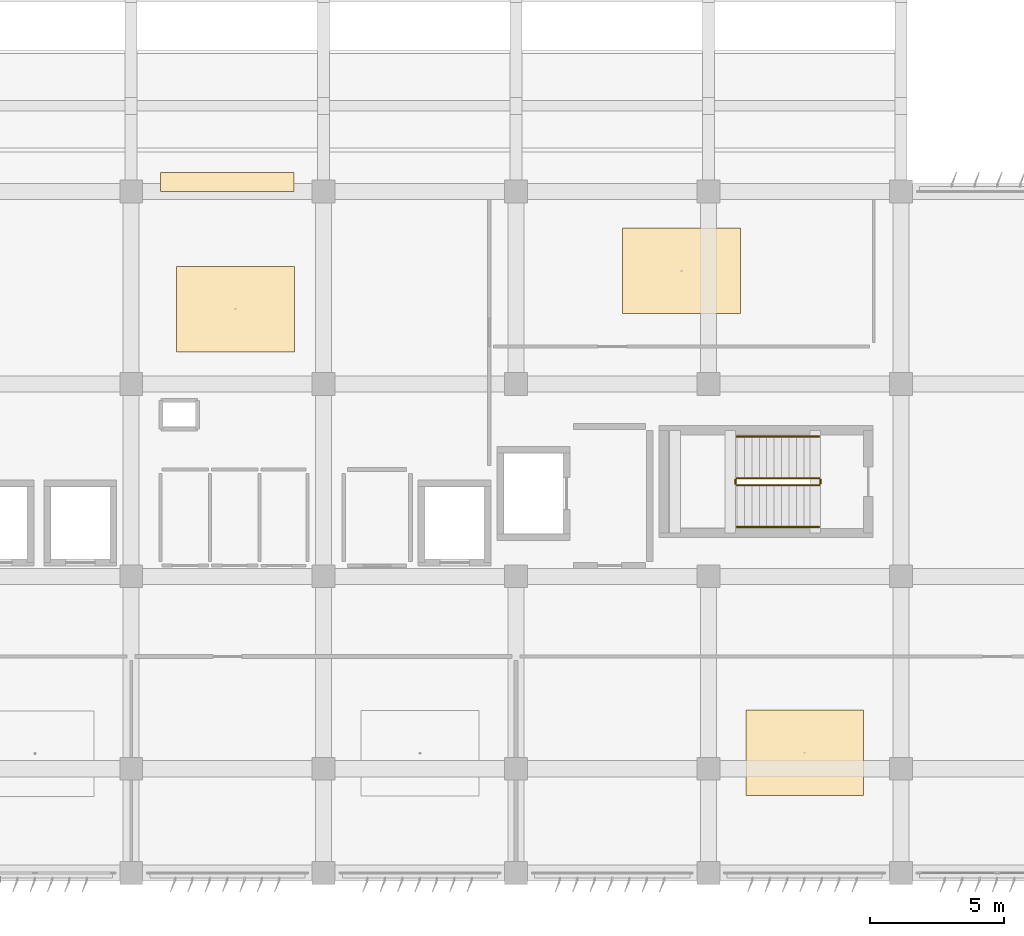
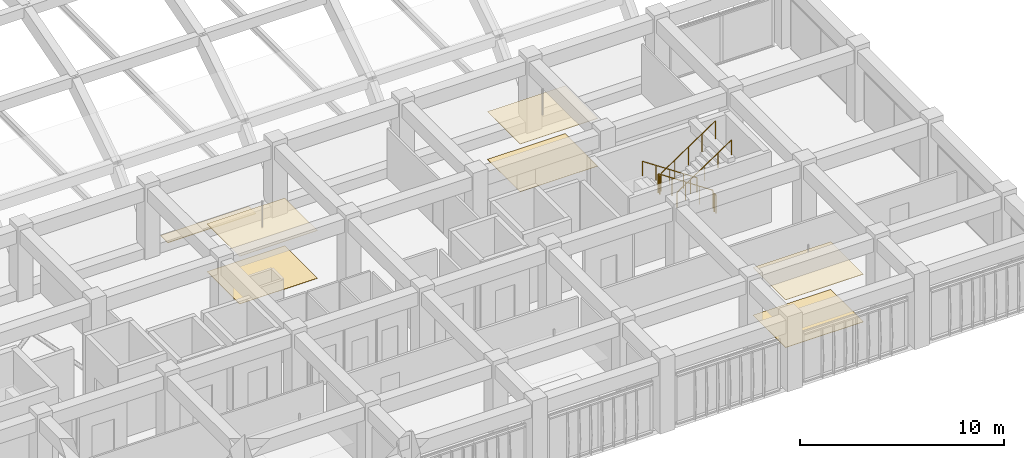
# One storey, part 46 of 48: 7 coverings, 6 railings, 1 element without a shape of its own.
"""IFC4 building model written with IfcOpenShell, lengths in metres."""

from ifc_helpers import new_model, si_unit, direction, frame, origin, origin_2d, place, context, subcontext, project, spatial, rectangle, circle, extrude, material, layer, layer_set, type_object, element, aggregate, save


model = new_model("IFC4")

# Units and contexts
model_context = context("Model", 3, precision=1e-05, world=origin(), true_north=direction((0.0, 1.0)))
body_context = subcontext(model_context, "Body", "Model", "MODEL_VIEW")
ifc_project = project(units=[si_unit("LENGTHUNIT", "METRE"), si_unit("AREAUNIT", "SQUARE_METRE"), si_unit("VOLUMEUNIT", "CUBIC_METRE"), si_unit("PLANEANGLEUNIT", "RADIAN"), si_unit("MASSUNIT", "GRAM", prefix="KILO")], contexts=[model_context])

# Site, building, storey
site_placement = place(None, origin())
site = spatial("IfcSite", under=ifc_project, at=site_placement, CompositionType="ELEMENT")
building_placement = place(site_placement, origin())
building = spatial("IfcBuilding", under=site, at=building_placement, Name="Kazehaya Institute of Natural Sciences", CompositionType="ELEMENT")
storey_placement = place(building_placement, frame((0.0, 0.0, 19.800048828125)))
storey = spatial("IfcBuildingStorey", under=building, at=storey_placement, Name="L04", CompositionType="ELEMENT", Elevation=19.800048828125)

# Coverings
ifc_material_1 = material(Name="Mineral-fibre acoustic ceiling tile")
ifc_layer_1 = layer(ifc_material_1, 0.02490234375, Name="Mineral-fibre acoustic ceiling tile")
ifc_layer_set_1 = layer_set([ifc_layer_1], Name="Mineral-fibre acoustic ceiling tile")
covering_type_1 = type_object("IfcCoveringType", Name="COV-CEIL-AC", PredefinedType="CEILING", material=ifc_layer_set_1)
for number, where, z_axis, x_axis, name in (
    (1, (108.59765625, 14.59619140625, 2.847412109375), (0.0, 0.0, 1.0), (1.0, 0.0, 0.0), "L04 Researcher Write-up Office ceiling 42"),
    (2, (87.302001953125, 31.19580078125, 2.847412109375), (0.0, 0.0, 1.0), (1.0, 0.0, 0.0), "L04 Proteomics Research Laboratory ceiling 43"),
    (3, (103.989990234375, 32.625, 2.847412109375), (0.0, 0.0, 1.0), (1.0, 0.0, 0.0), "L04 Cold Room and Autoclave Alcove ceiling 44"),
):
    element("IfcCovering", number, at=place(storey_placement, frame(where, z_axis=z_axis, x_axis=x_axis)), inside=storey, type_object=covering_type_1, Name=name, PredefinedType="CEILING", context=body_context, shape_type="SweptSolid", body=[
        extrude(rectangle(XDim=4.39990234375, YDim=3.199951171875, at=origin_2d()), origin(), (0.0, 0.0, 1.0), 0.02490234375),
    ])
ifc_material_2 = material(Name="Seamless chemical-resistant epoxy flooring")
ifc_layer_2 = layer(ifc_material_2, 0.014892578125, Name="Seamless chemical-resistant epoxy flooring")
ifc_layer_set_2 = layer_set([ifc_layer_2], Name="Seamless chemical-resistant epoxy flooring")
covering_type_2 = type_object("IfcCoveringType", Name="COV-FLR-EPX", PredefinedType="FLOORING", material=ifc_layer_set_2)
for number, where, z_axis, x_axis, name in (
    (4, (87.302001953125, 31.19580078125, 0.0), (0.0, 0.0, 1.0), (1.0, 0.0, 0.0), "L04 Proteomics Research Laboratory finish flooring 43"),
    (5, (103.989990234375, 32.625, 0.0), (0.0, 0.0, 1.0), (1.0, 0.0, 0.0), "L04 Cold Room and Autoclave Alcove finish flooring 44"),
):
    element("IfcCovering", number, at=place(storey_placement, frame(where, z_axis=z_axis, x_axis=x_axis)), inside=storey, type_object=covering_type_2, Name=name, PredefinedType="FLOORING", context=body_context, shape_type="SweptSolid", body=[
        extrude(rectangle(XDim=4.39990234375, YDim=3.199951171875, at=origin_2d()), origin(), (0.0, 0.0, 1.0), 0.014892578125),
    ])
ifc_material_3 = material(Name="Polished Sawara stone terrazzo flooring", Category="masonry")
ifc_layer_3 = layer(ifc_material_3, 0.02001953125, Name="Polished Sawara stone terrazzo flooring", Category="masonry")
ifc_layer_set_3 = layer_set([ifc_layer_3], Name="Polished Sawara stone terrazzo flooring")
covering_type_3 = type_object("IfcCoveringType", Name="COV-FLR-TRZ", PredefinedType="FLOORING", material=ifc_layer_set_3)
covering_1_placement = place(storey_placement, frame((108.59765625, 14.59619140625, 0.0), z_axis=(0.0, 0.0, 1.0), x_axis=(1.0, 0.0, 0.0)))
element("IfcCovering", 6, at=covering_1_placement, inside=storey, type_object=covering_type_3, Name="L04 Researcher Write-up Office finish flooring 42", PredefinedType="FLOORING", context=body_context, shape_type="SweptSolid", body=[
    extrude(rectangle(XDim=4.39990234375, YDim=3.199951171875, at=origin_2d()), origin(), (0.0, 0.0, 1.0), 0.02001953125),
])

# Roof, covering
ifc_material_4 = material(Name="Concrete Fc36", Category="concrete")
roof_type = type_object("IfcRoofType", Name="RF-BARREL", PredefinedType="BARREL_ROOF", material=ifc_material_4)
roof_placement = place(storey_placement, origin())
roof = element("IfcRoof", 7, at=roof_placement, inside=storey, type_object=roof_type, Name="Cylindrical barrel-vault shell roof SH-VOL2", PredefinedType="BARREL_ROOF")
ifc_material_5 = material(Name="Copper standing-seam roofing", Category="copper")
ifc_layer_4 = layer(ifc_material_5, 0.0400390625, Name="Copper standing-seam roofing", Category="copper")
ifc_layer_set_4 = layer_set([ifc_layer_4], Name="Copper standing-seam roofing")
covering_type_4 = type_object("IfcCoveringType", Name="COV-ROOF-CU", PredefinedType="ROOFING", material=ifc_layer_set_4)
covering_2_placement = place(storey_placement, frame((87.0, 35.949951171875, 0.219970703125), z_axis=(0.0, 0.0, 1.0), x_axis=(1.0, 0.0, 0.0)))
covering_2 = element("IfcCovering", 8, at=covering_2_placement, type_object=covering_type_4, Name="L04 barrel-vault springing eave copper flashing 2", PredefinedType="ROOFING", context=body_context, shape_type="SweptSolid", body=[
    extrude(rectangle(XDim=5.0, YDim=0.699951171875, at=origin_2d()), origin(), (0.0, 0.0, 1.0), 0.0400390625),
])
aggregate(roof, [covering_2])

# Railings
ifc_material_6 = material(Name="Structural steel SN490B", Category="steel")
railing_type_1 = type_object("IfcRailingType", Name="RL-STAIR-GRD", PredefinedType="GUARDRAIL", material=ifc_material_6)
railing_1_placement = place(storey_placement, frame((109.139892578125, 24.8701171875, 0.1875)))
element("IfcRailing", 9, at=railing_1_placement, inside=storey, type_object=railing_type_1, Name="L04 ST-2 stair guard 1", PredefinedType="GUARDRAIL", context=body_context, shape_type="SweptSolid", body=[
    extrude(circle(Radius=0.02392578125, at=origin_2d()), frame((0.0, 0.0, 1.076171875), z_axis=(-0.830893310487, 0.0, 0.556431762742), x_axis=(0.0, -1.0, 0.0)), (0.0, 0.0, 1.0), 3.70654296875),
    extrude(circle(Radius=0.02099609375, at=origin_2d()), origin(), (0.0, 0.0, 1.0), 1.052001953125),
    extrude(circle(Radius=0.02099609375, at=origin_2d()), frame((-0.77001953125, 0.0, 0.515625)), (0.0, 0.0, 1.0), 1.052001953125),
    extrude(circle(Radius=0.02099609375, at=origin_2d()), frame((-1.5400390625, 0.0, 1.03125)), (0.0, 0.0, 1.0), 1.052001953125),
    extrude(circle(Radius=0.02099609375, at=origin_2d()), frame((-2.309814453125, 0.0, 1.546875)), (0.0, 0.0, 1.0), 1.052001953125),
    extrude(circle(Radius=0.02099609375, at=origin_2d()), frame((-3.079833984375, 0.0, 2.0625)), (0.0, 0.0, 1.0), 1.052001953125),
])
railing_2_placement = place(storey_placement, frame((106.010009765625, 24.820068359375, 2.25)))
element("IfcRailing", 10, at=railing_2_placement, inside=storey, type_object=railing_type_1, Name="L04 ST-2 stair guard 2", PredefinedType="GUARDRAIL", context=body_context, shape_type="SweptSolid", body=[
    extrude(circle(Radius=0.02392578125, at=origin_2d()), frame((0.0, 0.0, 1.076171875), z_axis=(0.0, -1.0, 0.0), x_axis=(1.0, 0.0, 0.0)), (0.0, 0.0, 1.0), 0.16015625),
    extrude(circle(Radius=0.02099609375, at=origin_2d()), origin(), (0.0, 0.0, 1.0), 1.052001953125),
    extrude(circle(Radius=0.02099609375, at=origin_2d()), frame((0.0, -0.16015625, 0.0)), (0.0, 0.0, 1.0), 1.052001953125),
])
railing_3_placement = place(storey_placement, frame((106.06005859375, 24.610107421875, 2.4375)))
element("IfcRailing", 11, at=railing_3_placement, inside=storey, type_object=railing_type_1, Name="L04 ST-2 stair guard 3", PredefinedType="GUARDRAIL", context=body_context, shape_type="SweptSolid", body=[
    extrude(circle(Radius=0.02392578125, at=origin_2d()), frame((0.0, 0.0, 1.076171875), z_axis=(0.830893310487, 0.0, 0.556431762742), x_axis=(0.0, 1.0, 0.0)), (0.0, 0.0, 1.0), 3.70654296875),
    extrude(circle(Radius=0.02099609375, at=origin_2d()), origin(), (0.0, 0.0, 1.0), 1.052001953125),
    extrude(circle(Radius=0.02099609375, at=origin_2d()), frame((0.77001953125, 0.0, 0.515625)), (0.0, 0.0, 1.0), 1.052001953125),
    extrude(circle(Radius=0.02099609375, at=origin_2d()), frame((1.5400390625, 0.0, 1.03125)), (0.0, 0.0, 1.0), 1.052001953125),
    extrude(circle(Radius=0.02099609375, at=origin_2d()), frame((2.309814453125, 0.0, 1.546875)), (0.0, 0.0, 1.0), 1.052001953125),
    extrude(circle(Radius=0.02099609375, at=origin_2d()), frame((3.079833984375, 0.0, 2.0625)), (0.0, 0.0, 1.0), 1.052001953125),
])
railing_4_placement = place(storey_placement, frame((109.18994140625, 24.820068359375, 0.0)))
element("IfcRailing", 12, at=railing_4_placement, inside=storey, type_object=railing_type_1, Name="L04 ST-2 stair guard 4", PredefinedType="GUARDRAIL", context=body_context, shape_type="SweptSolid", body=[
    extrude(circle(Radius=0.02392578125, at=origin_2d()), frame((0.0, 0.0, 1.076171875), z_axis=(0.0, -1.0, 0.0), x_axis=(1.0, 0.0, 0.0)), (0.0, 0.0, 1.0), 0.16015625),
    extrude(circle(Radius=0.02099609375, at=origin_2d()), origin(), (0.0, 0.0, 1.0), 1.052001953125),
    extrude(circle(Radius=0.02099609375, at=origin_2d()), frame((0.0, -0.16015625, 0.0)), (0.0, 0.0, 1.0), 1.052001953125),
])
ifc_material_7 = material(Name="Brushed stainless steel handrail", Category="steel")
railing_type_2 = type_object("IfcRailingType", Name="RL-STAIR-HND", PredefinedType="HANDRAIL", material=ifc_material_7)
railing_5_placement = place(storey_placement, frame((109.139892578125, 26.429931640625, 0.1875)))
element("IfcRailing", 13, at=railing_5_placement, inside=storey, type_object=railing_type_2, Name="L04 ST-2 stair handrail 1", PredefinedType="HANDRAIL", context=body_context, shape_type="SweptSolid", body=[
    extrude(circle(Radius=0.02392578125, at=origin_2d()), frame((0.0, 0.0, 0.8759765625), z_axis=(-0.830893310487, 0.0, 0.556431762742), x_axis=(0.0, -1.0, 0.0)), (0.0, 0.0, 1.0), 3.70654296875),
    extrude(circle(Radius=0.02099609375, at=origin_2d()), origin(), (0.0, 0.0, 1.0), 0.851806640625),
    extrude(circle(Radius=0.02099609375, at=origin_2d()), frame((-0.77001953125, 0.0, 0.515625)), (0.0, 0.0, 1.0), 0.851806640625),
    extrude(circle(Radius=0.02099609375, at=origin_2d()), frame((-1.5400390625, 0.0, 1.03125)), (0.0, 0.0, 1.0), 0.851806640625),
    extrude(circle(Radius=0.02099609375, at=origin_2d()), frame((-2.309814453125, 0.0, 1.546875)), (0.0, 0.0, 1.0), 0.851806640625),
    extrude(circle(Radius=0.02099609375, at=origin_2d()), frame((-3.079833984375, 0.0, 2.0625)), (0.0, 0.0, 1.0), 0.851806640625),
])
railing_6_placement = place(storey_placement, frame((106.06005859375, 23.050048828125, 2.4375)))
element("IfcRailing", 14, at=railing_6_placement, inside=storey, type_object=railing_type_2, Name="L04 ST-2 stair handrail 2", PredefinedType="HANDRAIL", context=body_context, shape_type="SweptSolid", body=[
    extrude(circle(Radius=0.02392578125, at=origin_2d()), frame((0.0, 0.0, 0.8759765625), z_axis=(0.830893310487, 0.0, 0.556431762742), x_axis=(0.0, 1.0, 0.0)), (0.0, 0.0, 1.0), 3.70654296875),
    extrude(circle(Radius=0.02099609375, at=origin_2d()), origin(), (0.0, 0.0, 1.0), 0.851806640625),
    extrude(circle(Radius=0.02099609375, at=origin_2d()), frame((0.77001953125, 0.0, 0.515625)), (0.0, 0.0, 1.0), 0.851806640625),
    extrude(circle(Radius=0.02099609375, at=origin_2d()), frame((1.5400390625, 0.0, 1.03125)), (0.0, 0.0, 1.0), 0.851806640625),
    extrude(circle(Radius=0.02099609375, at=origin_2d()), frame((2.309814453125, 0.0, 1.546875)), (0.0, 0.0, 1.0), 0.851806640625),
    extrude(circle(Radius=0.02099609375, at=origin_2d()), frame((3.079833984375, 0.0, 2.0625)), (0.0, 0.0, 1.0), 0.851806640625),
])

save(model, "model.ifc")
